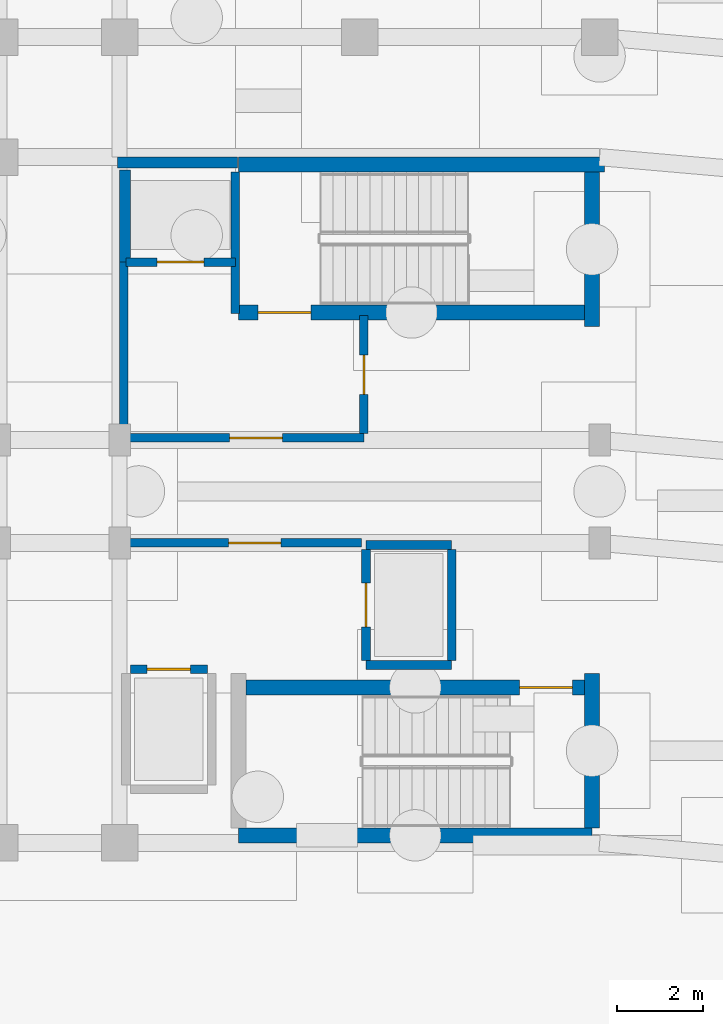
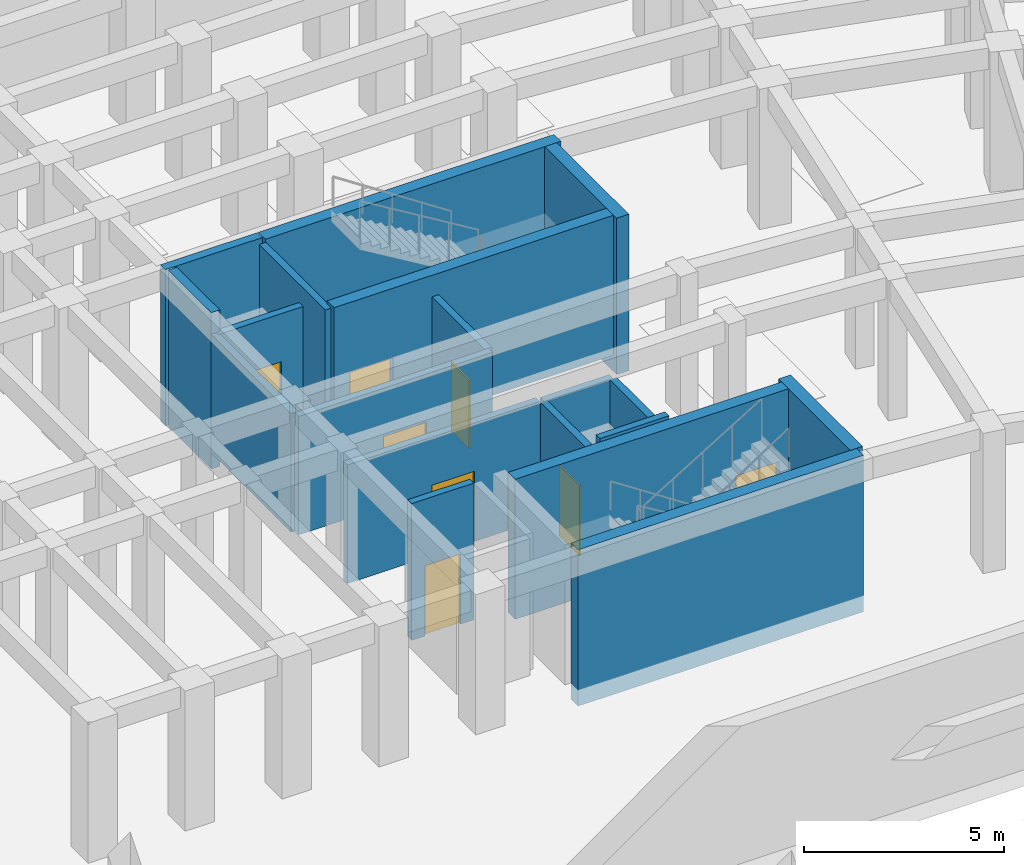
# One storey, part 36 of 53: 19 walls, 8 doors, 8 openings.
"""IFC4 building model written with IfcOpenShell, lengths in metres."""

from ifc_helpers import new_model, si_unit, direction, frame, frame_2d, origin, place, context, subcontext, project, spatial, rectangle, extrude, material, layer, layer_set, type_object, element, fill, save


model = new_model("IFC4")

# Units and contexts
model_context = context("Model", 3, precision=1e-05, world=origin(), true_north=direction((0.0, 1.0)))
body_context = subcontext(model_context, "Body", "Model", "MODEL_VIEW")
ifc_project = project(units=[si_unit("LENGTHUNIT", "METRE"), si_unit("AREAUNIT", "SQUARE_METRE"), si_unit("VOLUMEUNIT", "CUBIC_METRE"), si_unit("PLANEANGLEUNIT", "RADIAN"), si_unit("MASSUNIT", "GRAM", prefix="KILO")], contexts=[model_context])

# Site, building, storey
site_placement = place(None, origin())
site = spatial("IfcSite", under=ifc_project, at=site_placement, CompositionType="ELEMENT")
building_placement = place(site_placement, origin())
building = spatial("IfcBuilding", under=site, at=building_placement, Name="Kiranvali Square Residences", CompositionType="ELEMENT")
storey_placement = place(building_placement, frame((0.0, 0.0, -4.5)))
storey = spatial("IfcBuildingStorey", under=building, at=storey_placement, Name="B1", CompositionType="ELEMENT", Elevation=-4.5)

# Wall, opening, door
ifc_material_1 = material(Name="Autoclaved aerated concrete blockwork masonry", Category="masonry")
ifc_layer_1 = layer(ifc_material_1, 0.199951171875)
ifc_layer_set_1 = layer_set([ifc_layer_1], Name="Autoclaved aerated concrete blockwork masonry")
wall_type_1 = type_object("IfcWallType", Name="WL-COR-200", PredefinedType="STANDARD", material=ifc_layer_set_1)
wall_1_placement = place(storey_placement, frame((114.25, 113.60009765625, 0.0), z_axis=(0.0, 0.0, 1.0), x_axis=(-1.0, 0.0, 0.0)))
wall_1 = element("IfcWall", 1, at=wall_1_placement, inside=storey, type_object=wall_type_1, Name="B1 architectural wall WL-B1-B-LL-COR", PredefinedType="STANDARD", context=body_context, shape_type="SweptSolid", body=[
    extrude(rectangle(XDim=5.550048828125, YDim=0.199951171875, at=frame_2d((2.77490234375, 0.0))), origin(), (0.0, 0.0, 1.0), 3.6220703125),
])
opening_1_placement = place(wall_1_placement, frame((1.887451171875, 0.0, 0.0)))
opening_1 = element("IfcOpeningElement", 2, at=opening_1_placement, cuts=wall_1, Name="Opening FD-COR-60", PredefinedType="OPENING", context=body_context, shape_type="SweptSolid", body=[
    extrude(rectangle(XDim=1.219970703125, YDim=2.14990234375, at=frame_2d((0.60986328125, 1.074951171875))), frame((0.0, 0.10986328125, 0.0), z_axis=(0.0, -1.0, 0.0), x_axis=(1.0, 0.0, 0.0)), (0.0, 0.0, 1.0), 0.219970703125),
])
ifc_material_2 = material(Name="Fire-rated acoustic hardwood and mineral-core door assembly", Category="wood")
door_type_1 = type_object("IfcDoorType", Name="DR-FD60-1200", OperationType="NOTDEFINED", PredefinedType="DOOR", material=ifc_material_2)
door_1_placement = place(opening_1_placement, origin())
door_1 = element("IfcDoor", 3, at=door_1_placement, inside=storey, type_object=door_type_1, Name="B1 door DR-B1-0019 (DR-FD60-1200)", OperationType="SINGLE_SWING_LEFT", OverallHeight=2.14990234375, OverallWidth=1.219970703125, PredefinedType="DOOR", context=body_context, shape_type="SweptSolid", body=[
    extrude(rectangle(XDim=1.219970703125, YDim=2.14990234375, at=frame_2d((0.60986328125, 1.074951171875))), frame((0.0, 0.02490234375, 0.0), z_axis=(0.0, -1.0, 0.0), x_axis=(1.0, 0.0, 0.0)), (0.0, 0.0, 1.0), 0.050048828125),
])
fill(opening_1, door_1)

ifc_layer_2 = layer(ifc_material_1, 0.199951171875)
ifc_layer_set_2 = layer_set([ifc_layer_2], Name="Autoclaved aerated concrete blockwork masonry")
wall_type_2 = type_object("IfcWallType", Name="WL-FFL-200", PredefinedType="STANDARD", material=ifc_layer_set_2)
wall_2_placement = place(storey_placement, frame((114.300048828125, 116.050048828125, 0.0), z_axis=(0.0, 0.0, 1.0), x_axis=(-1.0, 0.0, 0.0)))
wall_2 = element("IfcWall", 4, at=wall_2_placement, inside=storey, type_object=wall_type_2, Name="B1 architectural wall WL-B1-B-FF-COR", PredefinedType="STANDARD", context=body_context, shape_type="SweptSolid", body=[
    extrude(rectangle(XDim=5.60009765625, YDim=0.199951171875, at=frame_2d((2.800048828125, 0.0))), origin(), (0.0, 0.0, 1.0), 3.6220703125),
])
opening_2_placement = place(wall_2_placement, frame((1.89990234375, 0.0, 0.0)))
opening_2 = element("IfcOpeningElement", 5, at=opening_2_placement, cuts=wall_2, Name="Opening FD-ST-120", PredefinedType="OPENING", context=body_context, shape_type="SweptSolid", body=[
    extrude(rectangle(XDim=1.239990234375, YDim=2.14990234375, at=frame_2d((0.6201171875, 1.074951171875))), frame((0.0, 0.10986328125, 0.0), z_axis=(0.0, -1.0, 0.0), x_axis=(1.0, 0.0, 0.0)), (0.0, 0.0, 1.0), 0.219970703125),
])
door_type_2 = type_object("IfcDoorType", Name="DR-FD120-1200", OperationType="NOTDEFINED", PredefinedType="DOOR", material=ifc_material_2)
door_2_placement = place(opening_2_placement, origin())
door_2 = element("IfcDoor", 6, at=door_2_placement, inside=storey, type_object=door_type_2, Name="B1 door DR-B1-0011 (DR-FD120-1200)", OperationType="SINGLE_SWING_LEFT", OverallHeight=2.14990234375, OverallWidth=1.239990234375, PredefinedType="DOOR", context=body_context, shape_type="SweptSolid", body=[
    extrude(rectangle(XDim=1.239990234375, YDim=2.14990234375, at=frame_2d((0.6201171875, 1.074951171875))), frame((0.0, 0.02490234375, 0.0), z_axis=(0.0, -1.0, 0.0), x_axis=(1.0, 0.0, 0.0)), (0.0, 0.0, 1.0), 0.050048828125),
])
fill(opening_2, door_2)

wall_3_placement = place(storey_placement, frame((114.300048828125, 116.14990234375, 0.0), z_axis=(0.0, 0.0, 1.0), x_axis=(0.0, 1.0, 0.0)))
wall_3 = element("IfcWall", 7, at=wall_3_placement, inside=storey, type_object=wall_type_2, Name="B1 architectural wall WL-B1-B-FF-DIV", PredefinedType="STANDARD", context=body_context, shape_type="SweptSolid", body=[
    extrude(rectangle(XDim=2.75, YDim=0.199951171875, at=frame_2d((1.375, 0.0))), origin(), (0.0, 0.0, 1.0), 3.6220703125),
])
opening_3_placement = place(wall_3_placement, frame((0.9150390625, 0.0, 0.0)))
opening_3 = element("IfcOpeningElement", 8, at=opening_3_placement, cuts=wall_3, Name="Opening FD-SVC-120", PredefinedType="OPENING", context=body_context, shape_type="SweptSolid", body=[
    extrude(rectangle(XDim=0.919921875, YDim=2.10009765625, at=frame_2d((0.4599609375, 1.050048828125))), frame((0.0, 0.10986328125, 0.0), z_axis=(0.0, -1.0, 0.0), x_axis=(1.0, 0.0, 0.0)), (0.0, 0.0, 1.0), 0.219970703125),
])
door_type_3 = type_object("IfcDoorType", Name="DR-SVC-900", OperationType="NOTDEFINED", PredefinedType="DOOR", material=ifc_material_2)
door_3_placement = place(opening_3_placement, frame((0.919921875, 0.0, 0.0), z_axis=(0.0, 0.0, 1.0), x_axis=(-1.0, 0.0, 0.0)))
door_3 = element("IfcDoor", 9, at=door_3_placement, inside=storey, type_object=door_type_3, Name="B1 door DR-B1-0012 (DR-SVC-900)", OperationType="SINGLE_SWING_RIGHT", OverallHeight=2.10009765625, OverallWidth=0.919921875, PredefinedType="DOOR", context=body_context, shape_type="SweptSolid", body=[
    extrude(rectangle(XDim=0.919921875, YDim=2.10009765625, at=frame_2d((0.4599609375, 1.050048828125))), frame((0.0, 0.02490234375, 0.0), z_axis=(0.0, -1.0, 0.0), x_axis=(1.0, 0.0, 0.0)), (0.0, 0.0, 1.0), 0.050048828125),
])
fill(opening_3, door_3)

# Wall
wall_4_placement = place(storey_placement, frame((108.699951171875, 116.14990234375, 0.0), z_axis=(0.0, 0.0, 1.0), x_axis=(0.0, 1.0, 0.0)))
element("IfcWall", 10, at=wall_4_placement, inside=storey, type_object=wall_type_2, Name="B1 architectural wall WL-B1-B-FF-END", PredefinedType="STANDARD", context=body_context, shape_type="SweptSolid", body=[
    extrude(rectangle(XDim=4.0, YDim=0.199951171875, at=frame_2d((2.0, 0.0))), origin(), (0.0, 0.0, 1.0), 3.6220703125),
])

# Wall, opening, door
wall_5_placement = place(storey_placement, frame((111.300048828125, 120.14990234375, 0.0), z_axis=(0.0, 0.0, 1.0), x_axis=(-1.0, 0.0, 0.0)))
wall_5 = element("IfcWall", 11, at=wall_5_placement, inside=storey, type_object=wall_type_2, Name="B1 architectural wall WL-B1-B-FF-LFT", PredefinedType="STANDARD", context=body_context, shape_type="SweptSolid", body=[
    extrude(rectangle(XDim=2.550048828125, YDim=0.199951171875, at=frame_2d((1.27490234375, 0.0))), origin(), (0.0, 0.0, 1.0), 3.6220703125),
])
opening_4_placement = place(wall_5_placement, frame((0.72509765625, 0.0, 0.0)))
opening_4 = element("IfcOpeningElement", 12, at=opening_4_placement, cuts=wall_5, Name="Opening LD-FF-110", PredefinedType="OPENING", context=body_context, shape_type="SweptSolid", body=[
    extrude(rectangle(XDim=1.10009765625, YDim=2.14990234375, at=frame_2d((0.550048828125, 1.074951171875))), frame((0.0, 0.10986328125, 0.0), z_axis=(0.0, -1.0, 0.0), x_axis=(1.0, 0.0, 0.0)), (0.0, 0.0, 1.0), 0.219970703125),
])
door_type_4 = type_object("IfcDoorType", Name="DR-LIFT-FF-1100", OperationType="SLIDING_TO_LEFT", PredefinedType="DOOR", material=ifc_material_2)
door_4_placement = place(opening_4_placement, origin())
door_4 = element("IfcDoor", 13, at=door_4_placement, inside=storey, type_object=door_type_4, Name="B1 door DR-B1-0013 (DR-LIFT-FF-1100)", OperationType="SLIDING_TO_LEFT", OverallHeight=2.14990234375, OverallWidth=1.10009765625, PredefinedType="DOOR", context=body_context, shape_type="SweptSolid", body=[
    extrude(rectangle(XDim=1.10009765625, YDim=2.14990234375, at=frame_2d((0.550048828125, 1.074951171875))), frame((0.0, 0.02490234375, 0.0), z_axis=(0.0, -1.0, 0.0), x_axis=(1.0, 0.0, 0.0)), (0.0, 0.0, 1.0), 0.050048828125),
])
fill(opening_4, door_4)

# Wall
ifc_layer_3 = layer(ifc_material_1, 0.199951171875)
ifc_layer_set_3 = layer_set([ifc_layer_3], Name="Autoclaved aerated concrete blockwork masonry")
wall_type_3 = type_object("IfcWallType", Name="WL-SHF-200", PredefinedType="STANDARD", material=ifc_layer_set_3)
wall_6_placement = place(storey_placement, frame((111.300048828125, 118.949951171875, 0.0), z_axis=(0.0, 0.0, 1.0), x_axis=(0.0, 1.0, 0.0)))
element("IfcWall", 14, at=wall_6_placement, inside=storey, type_object=wall_type_3, Name="B1 architectural wall WL-B1-B-FF-SHF", PredefinedType="STANDARD", context=body_context, shape_type="SweptSolid", body=[
    extrude(rectangle(XDim=3.300048828125, YDim=0.199951171875, at=frame_2d((1.64990234375, 0.0))), origin(), (0.0, 0.0, 1.0), 4.179931640625),
])

# Wall, opening, door
wall_7_placement = place(storey_placement, frame((110.64990234375, 110.64990234375, 0.0), z_axis=(0.0, 0.0, 1.0), x_axis=(-1.0, 0.0, 0.0)))
wall_7 = element("IfcWall", 15, at=wall_7_placement, inside=storey, type_object=wall_type_3, Name="B1 architectural wall WL-B1-B-LP1-F", PredefinedType="STANDARD", context=body_context, shape_type="SweptSolid", body=[
    extrude(rectangle(XDim=1.7998046875, YDim=0.199951171875, at=frame_2d((0.89990234375, 0.0))), origin(), (0.0, 0.0, 1.0), 4.179931640625),
])
opening_5_placement = place(wall_7_placement, frame((0.389892578125, 0.0, 0.0)))
opening_5 = element("IfcOpeningElement", 16, at=opening_5_placement, cuts=wall_7, Name="Opening LD-PAX-100", PredefinedType="OPENING", context=body_context, shape_type="SweptSolid", body=[
    extrude(rectangle(XDim=1.02001953125, YDim=2.14990234375, at=frame_2d((0.510009765625, 1.074951171875))), frame((0.0, 0.10986328125, 0.0), z_axis=(0.0, -1.0, 0.0), x_axis=(1.0, 0.0, 0.0)), (0.0, 0.0, 1.0), 0.219970703125),
])
door_type_5 = type_object("IfcDoorType", Name="DR-LIFT-1000", OperationType="SLIDING_TO_RIGHT", PredefinedType="DOOR", material=ifc_material_2)
door_5_placement = place(opening_5_placement, origin())
door_5 = element("IfcDoor", 17, at=door_5_placement, inside=storey, type_object=door_type_5, Name="B1 door DR-B1-0017 (DR-LIFT-1000)", OperationType="SLIDING_TO_RIGHT", OverallHeight=2.14990234375, OverallWidth=1.02001953125, PredefinedType="DOOR", context=body_context, shape_type="SweptSolid", body=[
    extrude(rectangle(XDim=1.02001953125, YDim=2.14990234375, at=frame_2d((0.510009765625, 1.074951171875))), frame((0.0, 0.02490234375, 0.0), z_axis=(0.0, -1.0, 0.0), x_axis=(1.0, 0.0, 0.0)), (0.0, 0.0, 1.0), 0.050048828125),
])
fill(opening_5, door_5)

# Walls
wall_8_placement = place(storey_placement, frame((116.35009765625, 110.75, 0.0), z_axis=(0.0, 0.0, 1.0), x_axis=(-1.0, 0.0, 0.0)))
element("IfcWall", 18, at=wall_8_placement, inside=storey, type_object=wall_type_3, Name="B1 architectural wall WL-B1-B-LP2-S0", PredefinedType="STANDARD", context=body_context, shape_type="SweptSolid", body=[
    extrude(rectangle(XDim=2.0, YDim=0.199951171875, at=frame_2d((1.0, 0.0))), origin(), (0.0, 0.0, 1.0), 4.179931640625),
])
wall_9_placement = place(storey_placement, frame((116.35009765625, 113.550048828125, 0.0), z_axis=(0.0, 0.0, 1.0), x_axis=(-1.0, 0.0, 0.0)))
element("IfcWall", 19, at=wall_9_placement, inside=storey, type_object=wall_type_3, Name="B1 architectural wall WL-B1-B-LP2-B", PredefinedType="STANDARD", context=body_context, shape_type="SweptSolid", body=[
    extrude(rectangle(XDim=2.0, YDim=0.199951171875, at=frame_2d((1.0, 0.0))), origin(), (0.0, 0.0, 1.0), 3.6220703125),
])
wall_10_placement = place(storey_placement, frame((116.35009765625, 110.85009765625, 0.0), z_axis=(0.0, 0.0, 1.0), x_axis=(0.0, 1.0, 0.0)))
element("IfcWall", 20, at=wall_10_placement, inside=storey, type_object=wall_type_3, Name="B1 architectural wall WL-B1-B-LP2-S1", PredefinedType="STANDARD", context=body_context, shape_type="SweptSolid", body=[
    extrude(rectangle(XDim=2.599853515625, YDim=0.199951171875, at=frame_2d((1.2998046875, 0.0))), origin(), (0.0, 0.0, 1.0), 3.6220703125),
])

# Wall, opening, door
wall_11_placement = place(storey_placement, frame((114.35009765625, 110.85009765625, 0.0), z_axis=(0.0, 0.0, 1.0), x_axis=(0.0, 1.0, 0.0)))
wall_11 = element("IfcWall", 21, at=wall_11_placement, inside=storey, type_object=wall_type_3, Name="B1 architectural wall WL-B1-B-LP2-F", PredefinedType="STANDARD", context=body_context, shape_type="SweptSolid", body=[
    extrude(rectangle(XDim=2.599853515625, YDim=0.199951171875, at=frame_2d((1.2998046875, 0.0))), origin(), (0.0, 0.0, 1.0), 3.6220703125),
])
opening_6_placement = place(wall_11_placement, frame((0.7900390625, 0.0, 0.0)))
opening_6 = element("IfcOpeningElement", 22, at=opening_6_placement, cuts=wall_11, Name="Opening LD-PAX-100", PredefinedType="OPENING", context=body_context, shape_type="SweptSolid", body=[
    extrude(rectangle(XDim=1.02001953125, YDim=2.14990234375, at=frame_2d((0.510009765625, 1.074951171875))), frame((0.0, 0.10986328125, 0.0), z_axis=(0.0, -1.0, 0.0), x_axis=(1.0, 0.0, 0.0)), (0.0, 0.0, 1.0), 0.219970703125),
])
door_6_placement = place(opening_6_placement, origin())
door_6 = element("IfcDoor", 23, at=door_6_placement, inside=storey, type_object=door_type_5, Name="B1 door DR-B1-0018 (DR-LIFT-1000)", OperationType="SLIDING_TO_RIGHT", OverallHeight=2.14990234375, OverallWidth=1.02001953125, PredefinedType="DOOR", context=body_context, shape_type="SweptSolid", body=[
    extrude(rectangle(XDim=1.02001953125, YDim=2.14990234375, at=frame_2d((0.510009765625, 1.074951171875))), frame((0.0, 0.02490234375, 0.0), z_axis=(0.0, -1.0, 0.0), x_axis=(1.0, 0.0, 0.0)), (0.0, 0.0, 1.0), 0.050048828125),
])
fill(opening_6, door_6)

# Walls
ifc_material_3 = material(Name="Concrete M45 (45 MPa)", Category="concrete")
ifc_layer_4 = layer(ifc_material_3, 0.25)
ifc_layer_set_4 = layer_set([ifc_layer_4], Name="Concrete M45 (45 MPa)")
wall_type_4 = type_object("IfcWallType", Name="WL-SHR-250", PredefinedType="SHEAR", material=ifc_layer_set_4)
wall_12_placement = place(storey_placement, frame((111.35009765625, 122.47509765625, -0.5), z_axis=(0.0, 0.0, 1.0), x_axis=(-1.0, 0.0, 0.0)))
element("IfcWall", 24, at=wall_12_placement, inside=storey, type_object=wall_type_4, Name="Block B core shear wall SW-BFF-BK-B1", PredefinedType="SHEAR", context=body_context, shape_type="SweptSolid", body=[
    extrude(rectangle(XDim=2.800048828125, YDim=0.25, at=frame_2d((1.39990234375, 0.0))), origin(), (0.0, 0.0, 1.0), 4.780029296875),
])
wall_13_placement = place(storey_placement, frame((108.72509765625, 120.14990234375, -0.5), z_axis=(0.0, 0.0, 1.0), x_axis=(0.0, 1.0, 0.0)))
element("IfcWall", 25, at=wall_13_placement, inside=storey, type_object=wall_type_4, Name="Block B core shear wall SW-BFF-SD-B1", PredefinedType="SHEAR", context=body_context, shape_type="SweptSolid", body=[
    extrude(rectangle(XDim=2.150146484375, YDim=0.25, at=frame_2d((1.0751953125, 0.0))), origin(), (0.0, 0.0, 1.0), 4.780029296875),
])
ifc_material_4 = material(Name="Concrete M50 (50 MPa)", Category="concrete")
ifc_layer_5 = layer(ifc_material_4, 0.35009765625)
ifc_layer_set_5 = layer_set([ifc_layer_5], Name="Concrete M50 (50 MPa)")
wall_type_5 = type_object("IfcWallType", Name="WL-SHR-350", PredefinedType="SHEAR", material=ifc_layer_set_5)
wall_14_placement = place(storey_placement, frame((119.919921875, 122.425048828125, -0.5), z_axis=(0.0, 0.0, 1.0), x_axis=(-1.0, 0.0, 0.0)))
element("IfcWall", 26, at=wall_14_placement, inside=storey, type_object=wall_type_5, Name="Block B core shear wall SW-B1-OUT-B1", PredefinedType="SHEAR", context=body_context, shape_type="SweptSolid", body=[
    extrude(rectangle(XDim=8.544921875, YDim=0.35009765625, at=frame_2d((4.2724609375, 0.0))), origin(), (0.0, 0.0, 1.0), 4.780029296875),
])

# Wall, opening, door
wall_15_placement = place(storey_placement, frame((119.449951171875, 118.97509765625, 0.0), z_axis=(0.0, 0.0, 1.0), x_axis=(-1.0, 0.0, 0.0)))
wall_15 = element("IfcWall", 27, at=wall_15_placement, inside=storey, type_object=wall_type_5, Name="Block B core shear wall SW-B1-IN-B1", PredefinedType="SHEAR", context=body_context, shape_type="SweptSolid", body=[
    extrude(rectangle(XDim=8.074951171875, YDim=0.35009765625, at=frame_2d((4.03759765625, 0.0))), origin(), (0.0, 0.0, 1.0), 4.280029296875),
])
opening_7_placement = place(wall_15_placement, frame((6.3798828125, 0.0, 0.0)))
opening_7 = element("IfcOpeningElement", 28, at=opening_7_placement, cuts=wall_15, Name="Opening FD-ST-120", PredefinedType="OPENING", context=body_context, shape_type="SweptSolid", body=[
    extrude(rectangle(XDim=1.239990234375, YDim=2.14990234375, at=frame_2d((0.6201171875, 1.074951171875))), frame((0.0, 0.18505859375, 0.0), z_axis=(0.0, -1.0, 0.0), x_axis=(1.0, 0.0, 0.0)), (0.0, 0.0, 1.0), 0.3701171875),
])
door_7_placement = place(opening_7_placement, frame((1.239990234375, 0.0, 0.0), z_axis=(0.0, 0.0, 1.0), x_axis=(-1.0, 0.0, 0.0)))
door_7 = element("IfcDoor", 29, at=door_7_placement, inside=storey, type_object=door_type_2, Name="B1 door DR-B1-0014 (DR-FD120-1200)", OperationType="SINGLE_SWING_RIGHT", OverallHeight=2.14990234375, OverallWidth=1.239990234375, PredefinedType="DOOR", context=body_context, shape_type="SweptSolid", body=[
    extrude(rectangle(XDim=1.239990234375, YDim=2.14990234375, at=frame_2d((0.6201171875, 1.074951171875))), frame((0.0, 0.02490234375, 0.0), z_axis=(0.0, -1.0, 0.0), x_axis=(1.0, 0.0, 0.0)), (0.0, 0.0, 1.0), 0.050048828125),
])
fill(opening_7, door_7)

# Walls
wall_16_placement = place(storey_placement, frame((119.625, 118.64990234375, -0.5), z_axis=(0.0, 0.0, 1.0), x_axis=(0.0, 1.0, 0.0)))
element("IfcWall", 30, at=wall_16_placement, inside=storey, type_object=wall_type_5, Name="Block B core shear wall SW-B1-FAR-B1", PredefinedType="SHEAR", context=body_context, shape_type="SweptSolid", body=[
    extrude(rectangle(XDim=3.60009765625, YDim=0.35009765625, at=frame_2d((1.800048828125, 0.0))), origin(), (0.0, 0.0, 1.0), 4.780029296875),
])
wall_17_placement = place(storey_placement, frame((119.625, 106.77490234375, -0.5), z_axis=(0.0, 0.0, 1.0), x_axis=(-1.0, 0.0, 0.0)))
element("IfcWall", 31, at=wall_17_placement, inside=storey, type_object=wall_type_5, Name="Block B core shear wall SW-B2-OUT-B1", PredefinedType="SHEAR", context=body_context, shape_type="SweptSolid", body=[
    extrude(rectangle(XDim=8.25, YDim=0.35009765625, at=frame_2d((4.125, 0.0))), origin(), (0.0, 0.0, 1.0), 4.780029296875),
])

# Wall, opening, door
wall_18_placement = place(storey_placement, frame((119.449951171875, 110.22509765625, 0.0), z_axis=(0.0, 0.0, 1.0), x_axis=(-1.0, 0.0, 0.0)))
wall_18 = element("IfcWall", 32, at=wall_18_placement, inside=storey, type_object=wall_type_5, Name="Block B core shear wall SW-B2-IN-B1", PredefinedType="SHEAR", context=body_context, shape_type="SweptSolid", body=[
    extrude(rectangle(XDim=7.89990234375, YDim=0.35009765625, at=frame_2d((3.949951171875, 0.0))), origin(), (0.0, 0.0, 1.0), 4.280029296875),
])
opening_8_placement = place(wall_18_placement, frame((0.280029296875, 0.0, 0.0)))
opening_8 = element("IfcOpeningElement", 33, at=opening_8_placement, cuts=wall_18, Name="Opening FD-ST-120", PredefinedType="OPENING", context=body_context, shape_type="SweptSolid", body=[
    extrude(rectangle(XDim=1.239990234375, YDim=2.14990234375, at=frame_2d((0.6201171875, 1.074951171875))), frame((0.0, 0.18505859375, 0.0), z_axis=(0.0, -1.0, 0.0), x_axis=(1.0, 0.0, 0.0)), (0.0, 0.0, 1.0), 0.3701171875),
])
door_8_placement = place(opening_8_placement, origin())
door_8 = element("IfcDoor", 34, at=door_8_placement, inside=storey, type_object=door_type_2, Name="B1 door DR-B1-0015 (DR-FD120-1200)", OperationType="SINGLE_SWING_LEFT", OverallHeight=2.14990234375, OverallWidth=1.239990234375, PredefinedType="DOOR", context=body_context, shape_type="SweptSolid", body=[
    extrude(rectangle(XDim=1.239990234375, YDim=2.14990234375, at=frame_2d((0.6201171875, 1.074951171875))), frame((0.0, 0.02490234375, 0.0), z_axis=(0.0, -1.0, 0.0), x_axis=(1.0, 0.0, 0.0)), (0.0, 0.0, 1.0), 0.050048828125),
])
fill(opening_8, door_8)

# Wall
wall_19_placement = place(storey_placement, frame((119.625, 106.949951171875, -0.5), z_axis=(0.0, 0.0, 1.0), x_axis=(0.0, 1.0, 0.0)))
element("IfcWall", 35, at=wall_19_placement, inside=storey, type_object=wall_type_5, Name="Block B core shear wall SW-B2-NEAR-B1", PredefinedType="SHEAR", context=body_context, shape_type="SweptSolid", body=[
    extrude(rectangle(XDim=3.60009765625, YDim=0.35009765625, at=frame_2d((1.800048828125, 0.0))), origin(), (0.0, 0.0, 1.0), 4.780029296875),
])

save(model, "model.ifc")
